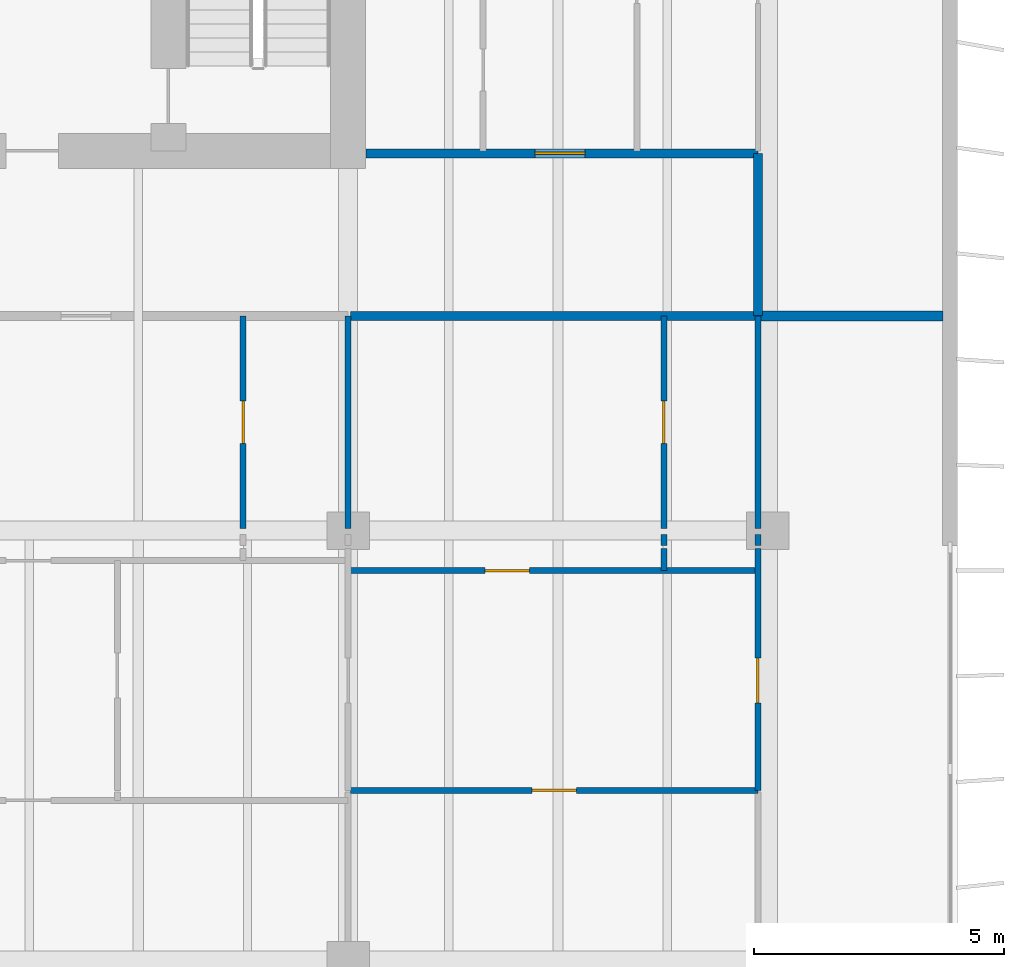
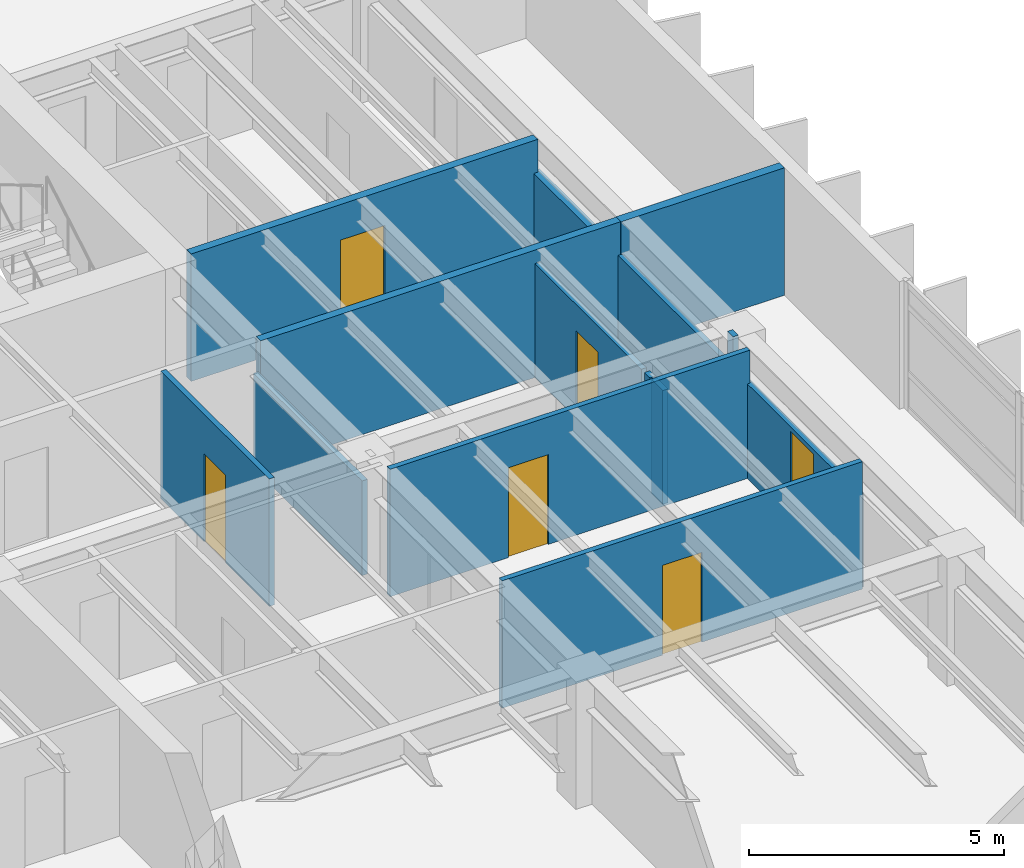
# One storey, part 12 of 19: 14 walls, 6 doors, 6 openings.
"""IFC4 building model written with IfcOpenShell, lengths in metres."""

from ifc_helpers import new_model, si_unit, direction, frame, frame_2d, origin, place, context, subcontext, project, spatial, rectangle, extrude, material, layer, layer_set, type_object, element, fill, save


model = new_model("IFC4")

# Units and contexts
model_context = context("Model", 3, precision=1e-05, world=origin(), true_north=direction((0.0, 1.0)))
body_context = subcontext(model_context, "Body", "Model", "MODEL_VIEW")
ifc_project = project(units=[si_unit("LENGTHUNIT", "METRE"), si_unit("AREAUNIT", "SQUARE_METRE"), si_unit("VOLUMEUNIT", "CUBIC_METRE"), si_unit("PLANEANGLEUNIT", "RADIAN"), si_unit("MASSUNIT", "GRAM", prefix="KILO")], contexts=[model_context])

# Site, building, storey
site_placement = place(None, origin())
site = spatial("IfcSite", under=ifc_project, at=site_placement, CompositionType="ELEMENT")
building_placement = place(site_placement, origin())
building = spatial("IfcBuilding", under=site, at=building_placement, Name="Caelmar Bay Residences", CompositionType="ELEMENT")
storey_placement = place(building_placement, frame((0.0, 0.0, 163.800048828125)))
storey = spatial("IfcBuildingStorey", under=building, at=storey_placement, Name="L45", CompositionType="ELEMENT", Elevation=163.800048828125)

# Walls
ifc_material_1 = material(Name="Double-stud acoustic fire-rated gypsum partition 180 mm")
ifc_layer_1 = layer(ifc_material_1, 0.179931640625)
ifc_layer_set_1 = layer_set([ifc_layer_1], Name="Double-stud acoustic fire-rated gypsum partition 180 mm")
wall_type_1 = type_object("IfcWallType", Name="W-COR-200", PredefinedType="PARTITIONING", material=ifc_layer_set_1)
wall_1_placement = place(storey_placement, frame((67.699951171875, 33.705078125, 0.0), z_axis=(0.0, 0.0, 1.0), x_axis=(0.0, 1.0, 0.0)))
element("IfcWall", 1, at=wall_1_placement, inside=storey, type_object=wall_type_1, Name="L45 Partition Wall V089", PredefinedType="PARTITIONING", context=body_context, shape_type="SweptSolid", body=[
    extrude(rectangle(XDim=3.244873046875, YDim=0.179931640625, at=frame_2d((1.62255859375, 0.0))), origin(), (0.0, 0.0, 1.0), 2.262939453125),
])
wall_2_placement = place(storey_placement, frame((59.550048828125, 33.699951171875, 0.0), z_axis=(0.0, 0.0, 1.0), x_axis=(1.0, 0.0, 0.0)))
element("IfcWall", 2, at=wall_2_placement, inside=storey, type_object=wall_type_1, Name="L45 Partition Wall H117", PredefinedType="PARTITIONING", context=body_context, shape_type="SweptSolid", body=[
    extrude(rectangle(XDim=8.14990234375, YDim=0.179931640625, at=frame_2d((4.074951171875, 0.0))), origin(), (0.0, 0.0, 1.0), 3.050048828125),
])

# Wall, opening, door
wall_3_placement = place(storey_placement, frame((59.85498046875, 36.949951171875, 0.0), z_axis=(0.0, 0.0, 1.0), x_axis=(1.0, 0.0, 0.0)))
wall_3 = element("IfcWall", 3, at=wall_3_placement, inside=storey, type_object=wall_type_1, Name="L45 Partition Wall H120", PredefinedType="PARTITIONING", context=body_context, shape_type="SweptSolid", body=[
    extrude(rectangle(XDim=7.844970703125, YDim=0.179931640625, at=frame_2d((3.92236328125, 0.0))), origin(), (0.0, 0.0, 1.0), 3.050048828125),
])
opening_1_placement = place(wall_3_placement, frame((3.385009765625, 0.0, 0.0)))
opening_1 = element("IfcOpeningElement", 4, at=opening_1_placement, cuts=wall_3, Name="Opening D-L45-172", PredefinedType="OPENING", context=body_context, shape_type="SweptSolid", body=[
    extrude(rectangle(XDim=1.0, YDim=2.199951171875, at=frame_2d((0.5, 1.10009765625))), frame((0.0, 0.099853515625, 0.0), z_axis=(0.0, -1.0, 0.0), x_axis=(1.0, 0.0, 0.0)), (0.0, 0.0, 1.0), 0.199951171875),
])
ifc_material_2 = material(Name="Fire-rated steel and walnut architectural door assembly", Category="steel")
ifc_layer_2 = layer(ifc_material_2, 0.050048828125)
ifc_layer_set_2 = layer_set([ifc_layer_2], Name="Fire-rated steel and walnut architectural door assembly")
door_type_1 = type_object("IfcDoorType", Name="D-UNIT-1000", OperationType="NOTDEFINED", PredefinedType="DOOR", material=ifc_layer_set_2)
door_1_placement = place(opening_1_placement, origin())
door_1 = element("IfcDoor", 5, at=door_1_placement, inside=storey, type_object=door_type_1, Name="L45 Residence EA Kitchen Door", OperationType="SINGLE_SWING_RIGHT", OverallHeight=2.199951171875, OverallWidth=1.0, PredefinedType="DOOR", context=body_context, shape_type="SweptSolid", body=[
    extrude(rectangle(XDim=1.0, YDim=2.199951171875, at=frame_2d((0.5, 1.10009765625))), frame((0.0, 0.02490234375, 0.0), z_axis=(0.0, -1.0, 0.0), x_axis=(1.0, 0.0, 0.0)), (0.0, 0.0, 1.0), 0.050048828125),
])
fill(opening_1, door_1)

ifc_material_3 = material(Name="Acoustic metal-stud gypsum partition 120 mm")
ifc_layer_3 = layer(ifc_material_3, 0.1201171875)
ifc_layer_set_3 = layer_set([ifc_layer_3], Name="Acoustic metal-stud gypsum partition 120 mm")
wall_type_2 = type_object("IfcWallType", Name="W-PRT-120", PredefinedType="PARTITIONING", material=ifc_layer_set_3)
wall_4_placement = place(storey_placement, frame((57.39794921875, 29.43994140625, 0.0), z_axis=(0.0, 0.0, 1.0), x_axis=(0.0, 1.0, 0.0)))
wall_4 = element("IfcWall", 6, at=wall_4_placement, inside=storey, type_object=wall_type_2, Name="L45 Partition Wall V074", PredefinedType="PARTITIONING", context=body_context, shape_type="SweptSolid", body=[
    extrude(rectangle(XDim=4.260009765625, YDim=0.1201171875, at=frame_2d((2.1298828125, 0.0))), origin(), (0.0, 0.0, 1.0), 3.050048828125),
])
opening_2_placement = place(wall_4_placement, frame((1.705078125, 0.0, 0.0)))
opening_2 = element("IfcOpeningElement", 7, at=opening_2_placement, cuts=wall_4, Name="Opening D-L45-153", PredefinedType="OPENING", context=body_context, shape_type="SweptSolid", body=[
    extrude(rectangle(XDim=0.85009765625, YDim=2.10009765625, at=frame_2d((0.425048828125, 1.050048828125))), frame((0.0, 0.070068359375, 0.0), z_axis=(0.0, -1.0, 0.0), x_axis=(1.0, 0.0, 0.0)), (0.0, 0.0, 1.0), 0.14013671875),
])
ifc_material_4 = material(Name="Solid walnut timber interior door leaf and frame", Category="wood")
ifc_layer_4 = layer(ifc_material_4, 0.050048828125)
ifc_layer_set_4 = layer_set([ifc_layer_4], Name="Solid walnut timber interior door leaf and frame")
door_type_2 = type_object("IfcDoorType", Name="D-BATH-850", OperationType="NOTDEFINED", PredefinedType="DOOR", material=ifc_layer_set_4)
door_2_placement = place(opening_2_placement, origin())
door_2 = element("IfcDoor", 8, at=door_2_placement, inside=storey, type_object=door_type_2, Name="L45 Residence 05 Guest Bathroom Door", OperationType="SINGLE_SWING_LEFT", OverallHeight=2.10009765625, OverallWidth=0.85009765625, PredefinedType="DOOR", context=body_context, shape_type="SweptSolid", body=[
    extrude(rectangle(XDim=0.85009765625, YDim=2.10009765625, at=frame_2d((0.425048828125, 1.050048828125))), frame((0.0, 0.02490234375, 0.0), z_axis=(0.0, -1.0, 0.0), x_axis=(1.0, 0.0, 0.0)), (0.0, 0.0, 1.0), 0.050048828125),
])
fill(opening_2, door_2)

# Walls
wall_5_placement = place(storey_placement, frame((59.5, 29.43994140625, 0.0), z_axis=(0.0, 0.0, 1.0), x_axis=(0.0, 1.0, 0.0)))
element("IfcWall", 9, at=wall_5_placement, inside=storey, type_object=wall_type_2, Name="L45 Partition Wall V079", PredefinedType="PARTITIONING", context=body_context, shape_type="SweptSolid", body=[
    extrude(rectangle(XDim=4.260009765625, YDim=0.1201171875, at=frame_2d((2.1298828125, 0.0))), origin(), (0.0, 0.0, 1.0), 2.262939453125),
])
wall_6_placement = place(storey_placement, frame((65.818115234375, 28.60009765625, 0.0), z_axis=(0.0, 0.0, 1.0), x_axis=(0.0, 1.0, 0.0)))
element("IfcWall", 10, at=wall_6_placement, inside=storey, type_object=wall_type_2, Name="L45 Partition Wall V082", PredefinedType="PARTITIONING", context=body_context, shape_type="SweptSolid", body=[
    extrude(rectangle(XDim=0.43994140625, YDim=0.1201171875, at=frame_2d((0.219970703125, 0.0))), origin(), (0.0, 0.0, 1.0), 2.724853515625),
])
wall_7_placement = place(storey_placement, frame((65.818115234375, 29.10009765625, 0.0), z_axis=(0.0, 0.0, 1.0), x_axis=(0.0, 1.0, 0.0)))
element("IfcWall", 11, at=wall_7_placement, inside=storey, type_object=wall_type_2, Name="L45 Partition Wall V083", PredefinedType="PARTITIONING", context=body_context, shape_type="SweptSolid", body=[
    extrude(rectangle(XDim=0.219970703125, YDim=0.1201171875, at=frame_2d((0.10986328125, 0.0))), origin(), (0.0, 0.0, 1.0), 2.724853515625),
])

# Wall, opening, door
wall_8_placement = place(storey_placement, frame((65.818115234375, 29.43994140625, 0.0), z_axis=(0.0, 0.0, 1.0), x_axis=(0.0, 1.0, 0.0)))
wall_8 = element("IfcWall", 12, at=wall_8_placement, inside=storey, type_object=wall_type_2, Name="L45 Partition Wall V084", PredefinedType="PARTITIONING", context=body_context, shape_type="SweptSolid", body=[
    extrude(rectangle(XDim=4.260009765625, YDim=0.1201171875, at=frame_2d((2.1298828125, 0.0))), origin(), (0.0, 0.0, 1.0), 2.724853515625),
])
opening_3_placement = place(wall_8_placement, frame((1.705078125, 0.0, 0.0)))
opening_3 = element("IfcOpeningElement", 13, at=opening_3_placement, cuts=wall_8, Name="Opening D-L45-159", PredefinedType="OPENING", context=body_context, shape_type="SweptSolid", body=[
    extrude(rectangle(XDim=0.85009765625, YDim=2.10009765625, at=frame_2d((0.425048828125, 1.050048828125))), frame((0.0, 0.070068359375, 0.0), z_axis=(0.0, -1.0, 0.0), x_axis=(1.0, 0.0, 0.0)), (0.0, 0.0, 1.0), 0.14013671875),
])
door_3_placement = place(opening_3_placement, origin())
door_3 = element("IfcDoor", 14, at=door_3_placement, inside=storey, type_object=door_type_2, Name="L45 Residence 05 En-Suite Bathroom 1 Door", OperationType="SINGLE_SWING_LEFT", OverallHeight=2.10009765625, OverallWidth=0.85009765625, PredefinedType="DOOR", context=body_context, shape_type="SweptSolid", body=[
    extrude(rectangle(XDim=0.85009765625, YDim=2.10009765625, at=frame_2d((0.425048828125, 1.050048828125))), frame((0.0, 0.02490234375, 0.0), z_axis=(0.0, -1.0, 0.0), x_axis=(1.0, 0.0, 0.0)), (0.0, 0.0, 1.0), 0.050048828125),
])
fill(opening_3, door_3)

wall_9_placement = place(storey_placement, frame((67.699951171875, 24.199951171875, 0.0), z_axis=(0.0, 0.0, 1.0), x_axis=(0.0, 1.0, 0.0)))
wall_9 = element("IfcWall", 15, at=wall_9_placement, inside=storey, type_object=wall_type_2, Name="L45 Partition Wall V086", PredefinedType="PARTITIONING", context=body_context, shape_type="SweptSolid", body=[
    extrude(rectangle(XDim=4.840087890625, YDim=0.1201171875, at=frame_2d((2.419921875, 0.0))), origin(), (0.0, 0.0, 1.0), 2.262939453125),
])
opening_4_placement = place(wall_9_placement, frame((1.75, 0.0, 0.0)))
opening_4 = element("IfcOpeningElement", 16, at=opening_4_placement, cuts=wall_9, Name="Opening D-L45-163", PredefinedType="OPENING", context=body_context, shape_type="SweptSolid", body=[
    extrude(rectangle(XDim=0.89990234375, YDim=2.14990234375, at=frame_2d((0.449951171875, 1.074951171875))), frame((0.0, 0.070068359375, 0.0), z_axis=(0.0, -1.0, 0.0), x_axis=(1.0, 0.0, 0.0)), (0.0, 0.0, 1.0), 0.14013671875),
])
ifc_layer_5 = layer(ifc_material_4, 0.050048828125)
ifc_layer_set_5 = layer_set([ifc_layer_5], Name="Solid walnut timber interior door leaf and frame")
door_type_3 = type_object("IfcDoorType", Name="D-ROOM-900", OperationType="NOTDEFINED", PredefinedType="DOOR", material=ifc_layer_set_5)
door_4_placement = place(opening_4_placement, origin())
door_4 = element("IfcDoor", 17, at=door_4_placement, inside=storey, type_object=door_type_3, Name="L45 Residence 05 Penthouse East Salon Door", OperationType="SINGLE_SWING_LEFT", OverallHeight=2.14990234375, OverallWidth=0.89990234375, PredefinedType="DOOR", context=body_context, shape_type="SweptSolid", body=[
    extrude(rectangle(XDim=0.89990234375, YDim=2.14990234375, at=frame_2d((0.449951171875, 1.074951171875))), frame((0.0, 0.02490234375, 0.0), z_axis=(0.0, -1.0, 0.0), x_axis=(1.0, 0.0, 0.0)), (0.0, 0.0, 1.0), 0.050048828125),
])
fill(opening_4, door_4)

# Walls
wall_10_placement = place(storey_placement, frame((67.699951171875, 29.10009765625, 0.0), z_axis=(0.0, 0.0, 1.0), x_axis=(0.0, 1.0, 0.0)))
element("IfcWall", 18, at=wall_10_placement, inside=storey, type_object=wall_type_2, Name="L45 Partition Wall V087", PredefinedType="PARTITIONING", context=body_context, shape_type="SweptSolid", body=[
    extrude(rectangle(XDim=0.219970703125, YDim=0.1201171875, at=frame_2d((0.10986328125, 0.0))), origin(), (0.0, 0.0, 1.0), 3.050048828125),
])
wall_11_placement = place(storey_placement, frame((67.699951171875, 29.43994140625, 0.0), z_axis=(0.0, 0.0, 1.0), x_axis=(0.0, 1.0, 0.0)))
element("IfcWall", 19, at=wall_11_placement, inside=storey, type_object=wall_type_2, Name="L45 Partition Wall V088", PredefinedType="PARTITIONING", context=body_context, shape_type="SweptSolid", body=[
    extrude(rectangle(XDim=4.260009765625, YDim=0.1201171875, at=frame_2d((2.1298828125, 0.0))), origin(), (0.0, 0.0, 1.0), 2.262939453125),
])

# Wall, opening, door
wall_12_placement = place(storey_placement, frame((59.550048828125, 24.199951171875, 0.0), z_axis=(0.0, 0.0, 1.0), x_axis=(1.0, 0.0, 0.0)))
wall_12 = element("IfcWall", 20, at=wall_12_placement, inside=storey, type_object=wall_type_2, Name="L45 Partition Wall H103", PredefinedType="PARTITIONING", context=body_context, shape_type="SweptSolid", body=[
    extrude(rectangle(XDim=8.14990234375, YDim=0.1201171875, at=frame_2d((4.074951171875, 0.0))), origin(), (0.0, 0.0, 1.0), 3.050048828125),
])
opening_5_placement = place(wall_12_placement, frame((3.625, 0.0, 0.0)))
opening_5 = element("IfcOpeningElement", 21, at=opening_5_placement, cuts=wall_12, Name="Opening D-L45-160", PredefinedType="OPENING", context=body_context, shape_type="SweptSolid", body=[
    extrude(rectangle(XDim=0.89990234375, YDim=2.14990234375, at=frame_2d((0.449951171875, 1.074951171875))), frame((0.0, 0.070068359375, 0.0), z_axis=(0.0, -1.0, 0.0), x_axis=(1.0, 0.0, 0.0)), (0.0, 0.0, 1.0), 0.14013671875),
])
door_5_placement = place(opening_5_placement, origin())
door_5 = element("IfcDoor", 22, at=door_5_placement, inside=storey, type_object=door_type_3, Name="L45 Residence 05 Penthouse Sitting Salon 1 Door", OperationType="SINGLE_SWING_RIGHT", OverallHeight=2.14990234375, OverallWidth=0.89990234375, PredefinedType="DOOR", context=body_context, shape_type="SweptSolid", body=[
    extrude(rectangle(XDim=0.89990234375, YDim=2.14990234375, at=frame_2d((0.449951171875, 1.074951171875))), frame((0.0, 0.02490234375, 0.0), z_axis=(0.0, -1.0, 0.0), x_axis=(1.0, 0.0, 0.0)), (0.0, 0.0, 1.0), 0.050048828125),
])
fill(opening_5, door_5)

wall_13_placement = place(storey_placement, frame((59.550048828125, 28.60009765625, 0.0), z_axis=(0.0, 0.0, 1.0), x_axis=(1.0, 0.0, 0.0)))
wall_13 = element("IfcWall", 23, at=wall_13_placement, inside=storey, type_object=wall_type_2, Name="L45 Partition Wall H106", PredefinedType="PARTITIONING", context=body_context, shape_type="SweptSolid", body=[
    extrude(rectangle(XDim=8.14990234375, YDim=0.1201171875, at=frame_2d((4.074951171875, 0.0))), origin(), (0.0, 0.0, 1.0), 3.050048828125),
])
opening_6_placement = place(wall_13_placement, frame((2.68408203125, 0.0, 0.0)))
opening_6 = element("IfcOpeningElement", 24, at=opening_6_placement, cuts=wall_13, Name="Opening D-L45-158", PredefinedType="OPENING", context=body_context, shape_type="SweptSolid", body=[
    extrude(rectangle(XDim=0.89990234375, YDim=2.14990234375, at=frame_2d((0.449951171875, 1.074951171875))), frame((0.0, 0.070068359375, 0.0), z_axis=(0.0, -1.0, 0.0), x_axis=(1.0, 0.0, 0.0)), (0.0, 0.0, 1.0), 0.14013671875),
])
door_6_placement = place(opening_6_placement, origin())
door_6 = element("IfcDoor", 25, at=door_6_placement, inside=storey, type_object=door_type_3, Name="L45 Residence 05 Home Office 1 Door", OperationType="SINGLE_SWING_RIGHT", OverallHeight=2.14990234375, OverallWidth=0.89990234375, PredefinedType="DOOR", context=body_context, shape_type="SweptSolid", body=[
    extrude(rectangle(XDim=0.89990234375, YDim=2.14990234375, at=frame_2d((0.449951171875, 1.074951171875))), frame((0.0, 0.02490234375, 0.0), z_axis=(0.0, -1.0, 0.0), x_axis=(1.0, 0.0, 0.0)), (0.0, 0.0, 1.0), 0.050048828125),
])
fill(opening_6, door_6)

# Wall
ifc_material_5 = material(Name="Acoustic twin-stud fire-rated inter-tenancy partition 200 mm")
ifc_layer_6 = layer(ifc_material_5, 0.199951171875)
ifc_layer_set_6 = layer_set([ifc_layer_6], Name="Acoustic twin-stud fire-rated inter-tenancy partition 200 mm")
wall_type_3 = type_object("IfcWallType", Name="W-PTY-200", PredefinedType="PARTITIONING", material=ifc_layer_set_6)
wall_14_placement = place(storey_placement, frame((67.705078125, 33.699951171875, 0.0), z_axis=(0.0, 0.0, 1.0), x_axis=(1.0, 0.0, 0.0)))
element("IfcWall", 26, at=wall_14_placement, inside=storey, type_object=wall_type_3, Name="L45 Partition Wall H118", PredefinedType="PARTITIONING", context=body_context, shape_type="SweptSolid", body=[
    extrude(rectangle(XDim=3.699951171875, YDim=0.199951171875, at=frame_2d((1.85009765625, 0.0))), origin(), (0.0, 0.0, 1.0), 3.050048828125),
])

save(model, "model.ifc")
